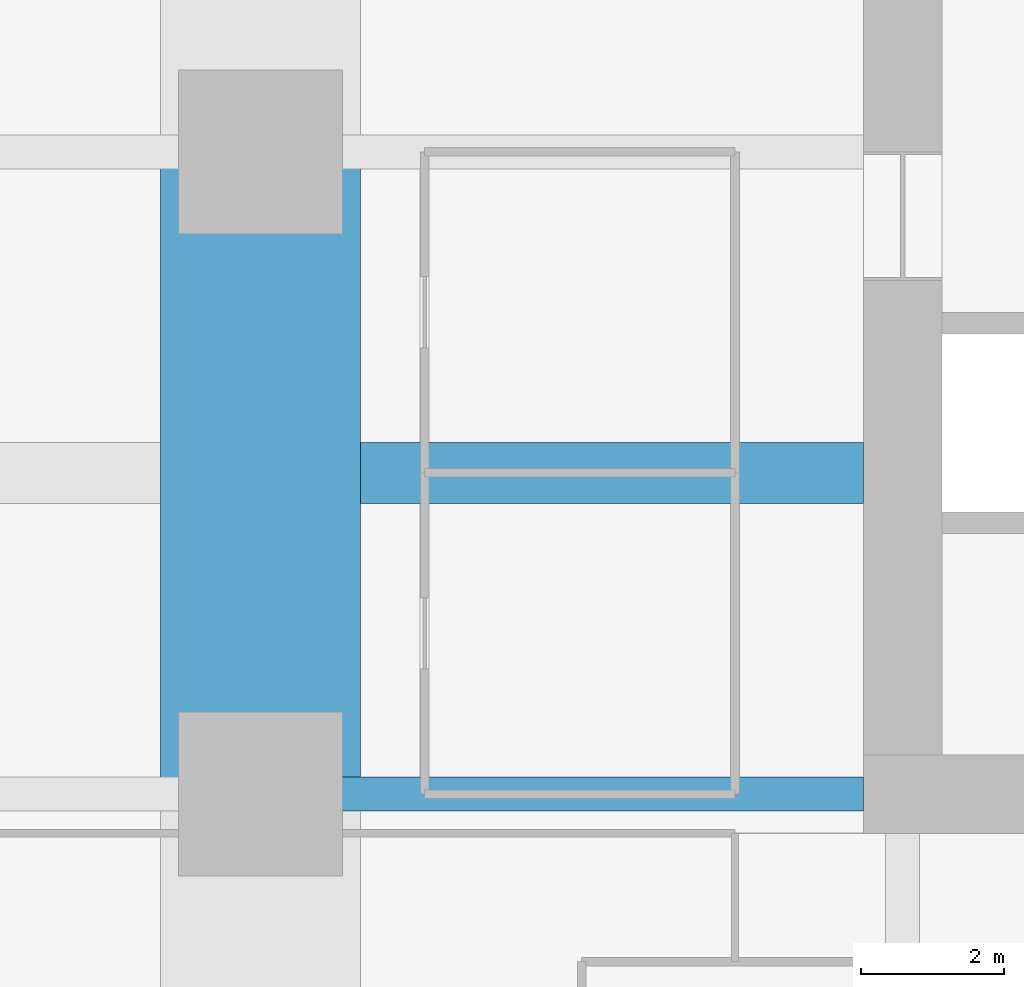
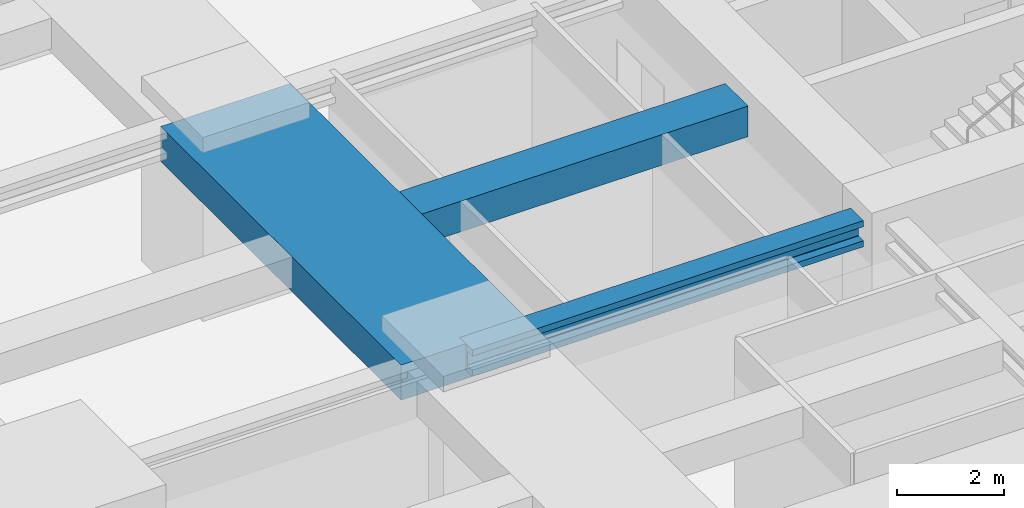
# One storey, part 11 of 39: 3 beams.
"""IFC4 building model written with IfcOpenShell, lengths in metres."""

from ifc_helpers import new_model, si_unit, direction, frame, origin, origin_2d, place, context, subcontext, project, spatial, rectangle, i_section, extrude, material, material_profile, profile_set, type_object, element, save


model = new_model("IFC4")

# Units and contexts
model_context = context("Model", 3, precision=1e-05, world=origin(), true_north=direction((0.0, 1.0)))
body_context = subcontext(model_context, "Body", "Model", "MODEL_VIEW")
ifc_project = project(units=[si_unit("LENGTHUNIT", "METRE"), si_unit("AREAUNIT", "SQUARE_METRE"), si_unit("VOLUMEUNIT", "CUBIC_METRE"), si_unit("PLANEANGLEUNIT", "RADIAN"), si_unit("MASSUNIT", "GRAM", prefix="KILO")], contexts=[model_context])

# Site, building, storey
site_placement = place(None, origin())
site = spatial("IfcSite", under=ifc_project, at=site_placement, CompositionType="ELEMENT")
building_placement = place(site_placement, origin())
building = spatial("IfcBuilding", under=site, at=building_placement, Name="Zorevar Civic Tower", CompositionType="ELEMENT")
storey_placement = place(building_placement, frame((0.0, 0.0, 230.199951171875)))
storey = spatial("IfcBuildingStorey", under=building, at=storey_placement, Name="L56", CompositionType="ELEMENT", Elevation=230.199951171875)

# Beams
ifc_material_1 = material(Name="Concrete C50/60", Category="concrete")
ifc_material_profile_1 = material_profile(ifc_material_1, rectangle(XDim=2.800048828125, YDim=0.800048828125, at=origin_2d()), Name="RC 2800x800")
ifc_profile_set_1 = profile_set([ifc_material_profile_1], Name="Concrete C50/60")
beam_type_1 = type_object("IfcBeamType", Name="Beam RC 2800x800", PredefinedType="BEAM", material=ifc_profile_set_1)
beam_1_placement = place(storey_placement, frame((9.0, 18.0, 3.449951171875), z_axis=(0.0, 1.0, 0.0), x_axis=(-1.0, 0.0, 0.0)))
element("IfcBeam", 1, at=beam_1_placement, inside=storey, type_object=beam_type_1, Name="Girder L57", PredefinedType="BEAM", context=body_context, shape_type="SweptSolid", body=[
    extrude(rectangle(XDim=2.800048828125, YDim=0.800048828125, at=origin_2d()), origin(), (0.0, 0.0, 1.0), 9.0),
])
ifc_material_2 = material(Name="Concrete C50/60", Category="concrete")
ifc_material_profile_2 = material_profile(ifc_material_2, rectangle(XDim=0.85009765625, YDim=0.699951171875, at=origin_2d()), Name="RC 850x700")
ifc_profile_set_2 = profile_set([ifc_material_profile_2], Name="Concrete C50/60")
beam_type_2 = type_object("IfcBeamType", Name="Beam RC 850x700", PredefinedType="BEAM", material=ifc_profile_set_2)
beam_2_placement = place(storey_placement, frame((10.39990234375, 22.5, 3.5), z_axis=(1.0, 0.0, 0.0), x_axis=(0.0, 1.0, 0.0)))
element("IfcBeam", 2, at=beam_2_placement, inside=storey, type_object=beam_type_2, Name="Secondary beam L57", PredefinedType="BEAM", context=body_context, shape_type="SweptSolid", body=[
    extrude(rectangle(XDim=0.85009765625, YDim=0.699951171875, at=origin_2d()), origin(), (0.0, 0.0, 1.0), 7.050048828125),
])
ifc_material_3 = material(Name="Steel S460M (HISTAR 460)", Category="steel")
ifc_material_profile_3 = material_profile(ifc_material_3, i_section(OverallWidth=0.47607421875, OverallDepth=0.60009765625, WebThickness=0.10009765625, FlangeThickness=0.139892578125, FilletRadius=0.014892578125, at=origin_2d()), Name="HD 400x1299")
ifc_profile_set_3 = profile_set([ifc_material_profile_3], Name="Steel S460M (HISTAR 460)")
beam_type_3 = type_object("IfcBeamType", Name="Outrigger chord HD 400x1299", PredefinedType="BEAM", material=ifc_profile_set_3)
beam_3_placement = place(storey_placement, frame((9.0, 18.0, 3.550048828125), z_axis=(1.0, 0.0, 0.0), x_axis=(0.0, 1.0, 0.0)))
element("IfcBeam", 3, at=beam_3_placement, inside=storey, type_object=beam_type_3, Name="Outrigger chord L57", PredefinedType="BEAM", context=body_context, shape_type="SweptSolid", body=[
    extrude(i_section(OverallWidth=0.47607421875, OverallDepth=0.60009765625, WebThickness=0.10009765625, FlangeThickness=0.139892578125, FilletRadius=0.014892578125, at=origin_2d()), origin(), (0.0, 0.0, 1.0), 8.449951171875),
])

save(model, "model.ifc")
